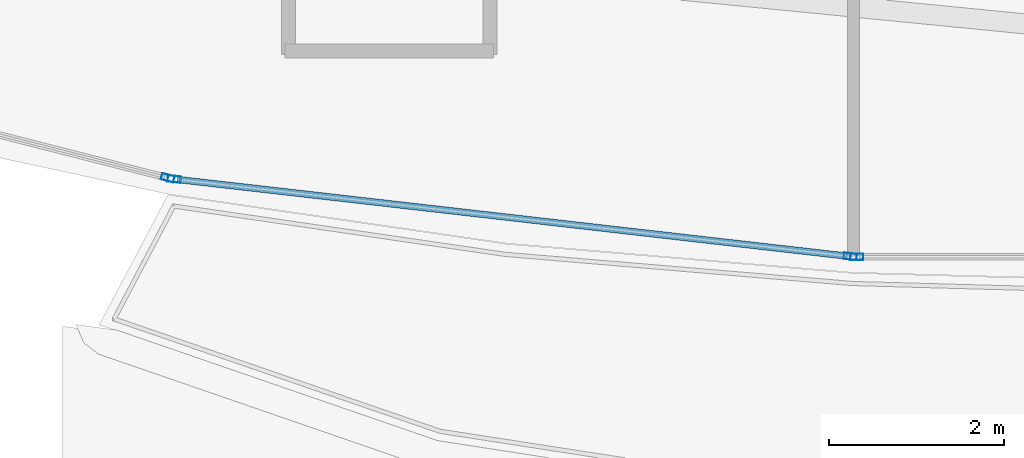
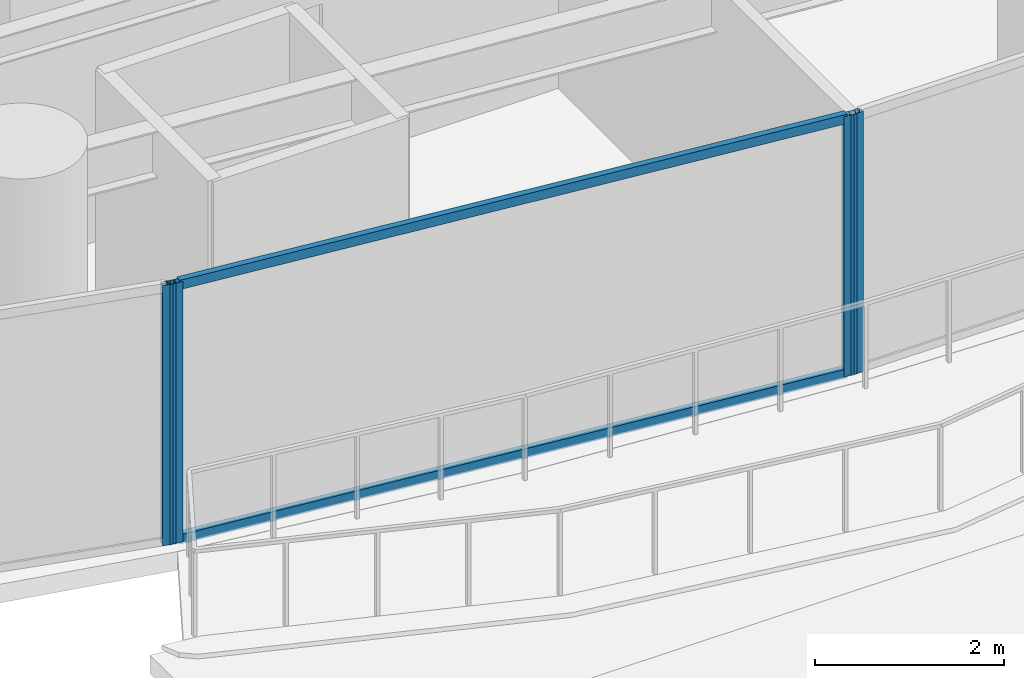
# One storey, part 4 of 32: 6 members, 3 elements without a shape of their own.
"""IFC4 building model written with IfcOpenShell, lengths in metres."""

from ifc_helpers import new_model, si_unit, direction, frame, origin, origin_2d, place, context, subcontext, project, spatial, hollow_rectangle, extrude, material, layer, layer_set, material_profile, profile_set, type_object, element, aggregate, save


model = new_model("IFC4")

# Units and contexts
model_context = context("Model", 3, precision=1e-05, world=origin(), true_north=direction((0.0, 1.0)))
body_context = subcontext(model_context, "Body", "Model", "MODEL_VIEW")
ifc_project = project(units=[si_unit("LENGTHUNIT", "METRE"), si_unit("AREAUNIT", "SQUARE_METRE"), si_unit("VOLUMEUNIT", "CUBIC_METRE"), si_unit("PLANEANGLEUNIT", "RADIAN"), si_unit("MASSUNIT", "GRAM", prefix="KILO")], contexts=[model_context])

# Site, building, storey
site_placement = place(None, origin())
site = spatial("IfcSite", under=ifc_project, at=site_placement, CompositionType="ELEMENT")
building_placement = place(site_placement, origin())
building = spatial("IfcBuilding", under=site, at=building_placement, Name="Kazevale Care Tower and Concert Hall", CompositionType="ELEMENT")
storey_placement = place(building_placement, frame((0.0, 0.0, 24.0)))
storey = spatial("IfcBuildingStorey", under=building, at=storey_placement, Name="L05", CompositionType="ELEMENT", Elevation=24.0)

# Curtain wall, member
ifc_material_1 = material(Name="Aluminium 6063-T6 and Low-E Glass", Category="aluminium")
ifc_layer = layer(ifc_material_1, 0.179931640625)
ifc_layer_set = layer_set([ifc_layer], Name="Aluminium 6063-T6 and Low-E Glass")
curtain_wall_type = type_object("IfcCurtainWallType", Name="Sheltered Concave Balcony Curtain Wall CW-5", PredefinedType="NOTDEFINED", material=ifc_layer_set)
curtain_wall_1_placement = place(storey_placement, origin())
curtain_wall_1 = element("IfcCurtainWall", 1, at=curtain_wall_1_placement, inside=storey, type_object=curtain_wall_type, Name="cw:L05:f06", PredefinedType="NOTDEFINED")
ifc_material_2 = material(Name="Aluminium 6063-T6", Category="aluminium")
ifc_material_profile_1 = material_profile(ifc_material_2, hollow_rectangle(XDim=0.074951171875, YDim=0.14990234375, WallThickness=0.00390625, at=origin_2d()), Name="ALU75x150x4")
ifc_profile_set_1 = profile_set([ifc_material_profile_1], Name="Aluminium 6063-T6")
member_type_1 = type_object("IfcMemberType", Name="CW-5 Mullion ALU75x150x4", PredefinedType="MULLION", material=ifc_profile_set_1)
member_1_placement = place(storey_placement, frame((41.03955078125, 14.889892578125, 0.0), z_axis=(0.0, 0.0, 1.0), x_axis=(0.0, -1.0, 0.0)))
member_1 = element("IfcMember", 2, at=member_1_placement, type_object=member_type_1, Name="CW-5 mullion 2", PredefinedType="MULLION", context=body_context, shape_type="SweptSolid", body=[
    extrude(hollow_rectangle(XDim=0.074951171875, YDim=0.14990234375, WallThickness=0.00390625, at=origin_2d()), origin(), (0.0, 0.0, 1.0), 3.360107421875),
])
aggregate(curtain_wall_1, [member_1])

# Curtain wall, members
curtain_wall_2_placement = place(storey_placement, origin())
curtain_wall_2 = element("IfcCurtainWall", 3, at=curtain_wall_2_placement, inside=storey, type_object=curtain_wall_type, Name="cw:L05:f07", PredefinedType="NOTDEFINED")
member_2_placement = place(storey_placement, frame((40.96484375, 14.894287109375, 0.0), z_axis=(0.0, 0.0, 1.0), x_axis=(-0.113704773808, -0.993514581883, 0.0)))
member_2 = element("IfcMember", 4, at=member_2_placement, type_object=member_type_1, Name="CW-5 mullion 1", PredefinedType="MULLION", context=body_context, shape_type="SweptSolid", body=[
    extrude(hollow_rectangle(XDim=0.074951171875, YDim=0.14990234375, WallThickness=0.00390625, at=origin_2d()), origin(), (0.0, 0.0, 1.0), 3.360107421875),
])
member_3_placement = place(storey_placement, frame((33.245361328125, 15.77783203125, 0.0), z_axis=(0.0, 0.0, 1.0), x_axis=(-0.113704773808, -0.993514581883, 0.0)))
member_3 = element("IfcMember", 5, at=member_3_placement, type_object=member_type_1, Name="CW-5 mullion 2", PredefinedType="MULLION", context=body_context, shape_type="SweptSolid", body=[
    extrude(hollow_rectangle(XDim=0.074951171875, YDim=0.14990234375, WallThickness=0.00390625, at=origin_2d()), origin(), (0.0, 0.0, 1.0), 3.360107421875),
])

# Curtain wall, member
curtain_wall_3_placement = place(storey_placement, origin())
curtain_wall_3 = element("IfcCurtainWall", 6, at=curtain_wall_3_placement, inside=storey, type_object=curtain_wall_type, Name="cw:L05:f08", PredefinedType="NOTDEFINED")
member_4_placement = place(storey_placement, frame((33.171630859375, 15.791259765625, 0.0), z_axis=(0.0, 0.0, 1.0), x_axis=(-0.247221864936, -0.968958899798, 0.0)))
member_4 = element("IfcMember", 7, at=member_4_placement, type_object=member_type_1, Name="CW-5 mullion 1", PredefinedType="MULLION", context=body_context, shape_type="SweptSolid", body=[
    extrude(hollow_rectangle(XDim=0.074951171875, YDim=0.14990234375, WallThickness=0.00390625, at=origin_2d()), origin(), (0.0, 0.0, 1.0), 3.360107421875),
])
aggregate(curtain_wall_3, [member_4])

# Member
ifc_material_profile_2 = material_profile(ifc_material_2, hollow_rectangle(XDim=0.074951171875, YDim=0.1201171875, WallThickness=0.00390625, at=origin_2d()), Name="ALU75x120x4")
ifc_profile_set_2 = profile_set([ifc_material_profile_2], Name="Aluminium 6063-T6")
member_type_2 = type_object("IfcMemberType", Name="CW-5 Transom ALU75x120x4", PredefinedType="USERDEFINED", material=ifc_profile_set_2)
member_5_placement = place(storey_placement, frame((40.927490234375, 14.8984375, 0.03759765625), z_axis=(-0.993513842403, 0.113711234948, 0.0), x_axis=(-0.113711234948, -0.993513842403, 0.0)))
member_5 = element("IfcMember", 8, at=member_5_placement, type_object=member_type_2, Name="CW-5 transom 1.1", ObjectType="TRANSOM", PredefinedType="USERDEFINED", context=body_context, shape_type="SweptSolid", body=[
    extrude(hollow_rectangle(XDim=0.074951171875, YDim=0.1201171875, WallThickness=0.00390625, at=origin_2d()), origin(), (0.0, 0.0, 1.0), 7.69482421875),
])

member_6_placement = place(storey_placement, frame((40.927490234375, 14.8984375, 3.322509765625), z_axis=(-0.993513842403, 0.113711234948, 0.0), x_axis=(-0.113711234948, -0.993513842403, 0.0)))
member_6 = element("IfcMember", 9, at=member_6_placement, type_object=member_type_2, Name="CW-5 transom 1.2", ObjectType="TRANSOM", PredefinedType="USERDEFINED", context=body_context, shape_type="SweptSolid", body=[
    extrude(hollow_rectangle(XDim=0.074951171875, YDim=0.1201171875, WallThickness=0.00390625, at=origin_2d()), origin(), (0.0, 0.0, 1.0), 7.69482421875),
])

aggregate(curtain_wall_2, [member_2, member_3, member_5, member_6])

save(model, "model.ifc")
